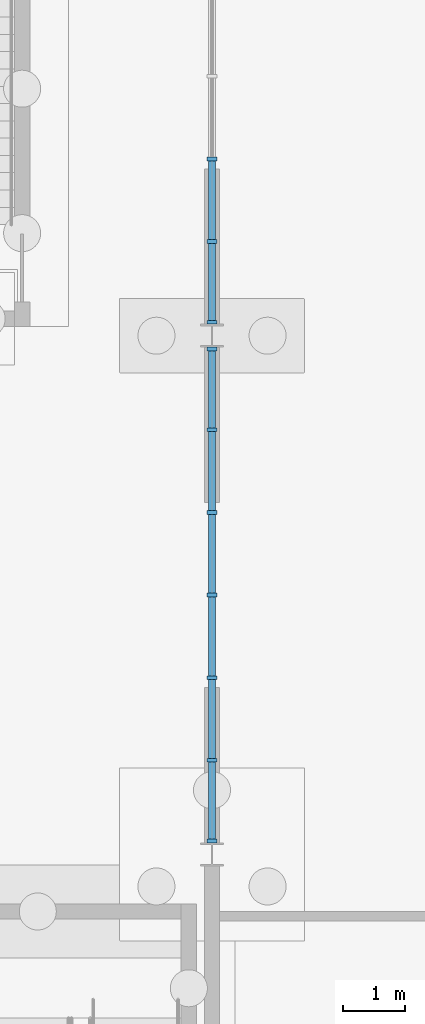
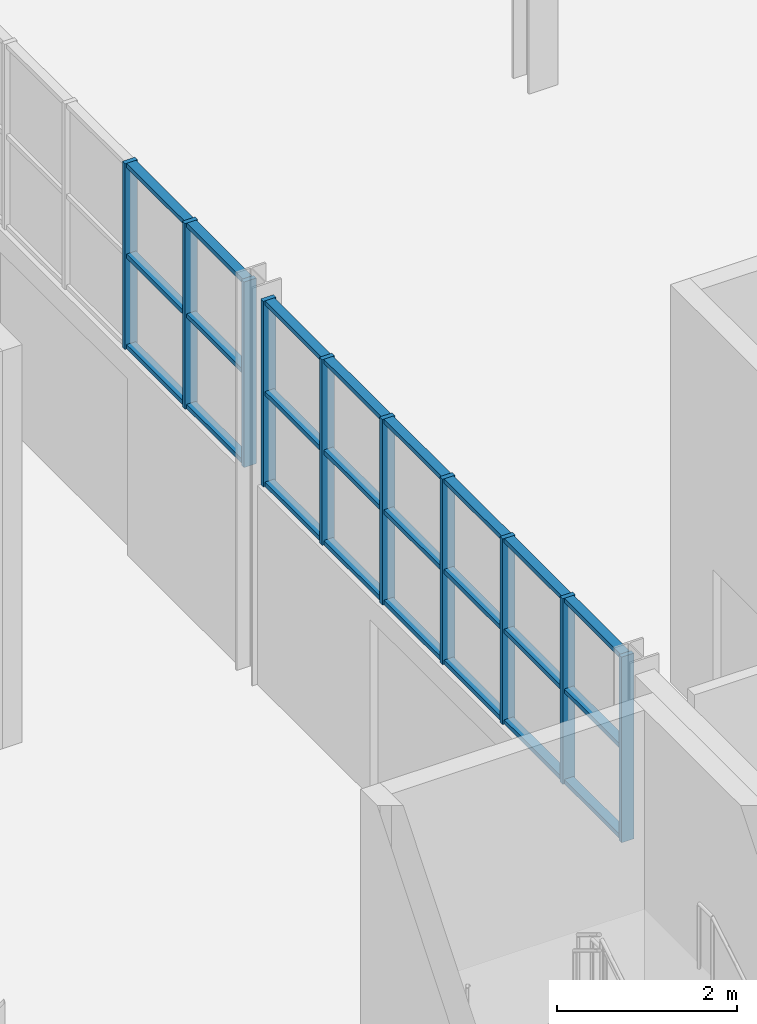
# One storey, part 32 of 127: 34 members, 2 elements without a shape of their own.
"""IFC4 building model written with IfcOpenShell, lengths in metres."""

from ifc_helpers import new_model, si_unit, direction, frame, origin, origin_2d, place, context, subcontext, project, spatial, rectangle, extrude, material, material_profile, profile_set, type_object, element, aggregate, save


model = new_model("IFC4")

# Units and contexts
model_context = context("Model", 3, precision=1e-05, world=origin(), true_north=direction((0.0, 1.0)))
body_context = subcontext(model_context, "Body", "Model", "MODEL_VIEW")
ifc_project = project(units=[si_unit("LENGTHUNIT", "METRE"), si_unit("AREAUNIT", "SQUARE_METRE"), si_unit("VOLUMEUNIT", "CUBIC_METRE"), si_unit("PLANEANGLEUNIT", "RADIAN"), si_unit("MASSUNIT", "GRAM", prefix="KILO")], contexts=[model_context])

# Site, building, storey
site_placement = place(None, origin())
site = spatial("IfcSite", under=ifc_project, at=site_placement, CompositionType="ELEMENT")
building_placement = place(site_placement, origin())
building = spatial("IfcBuilding", under=site, at=building_placement, Name="Ljudholm Concert House", CompositionType="ELEMENT")
storey_placement = place(building_placement, origin())
storey = spatial("IfcBuildingStorey", under=building, at=storey_placement, Name="L00", CompositionType="ELEMENT", Elevation=0.0)

# Curtain wall, members
ifc_material_1 = material(Name="Aluminium curtain wall with impact-rated laminated glass", Category="aluminium")
curtain_wall_type = type_object("IfcCurtainWallType", Name="CURTAIN WALL 1400", PredefinedType="NOTDEFINED", material=ifc_material_1)
curtain_wall_1_placement = place(storey_placement, origin())
curtain_wall_1 = element("IfcCurtainWall", 1, at=curtain_wall_1_placement, inside=storey, type_object=curtain_wall_type, Name="Foyer curtain wall", PredefinedType="NOTDEFINED")
ifc_material_2 = material(Name="Aluminium extrusion", Category="aluminium")
ifc_material_profile_1 = material_profile(ifc_material_2, rectangle(XDim=0.159912109375, YDim=0.06005859375, at=origin_2d()), Name="MULLION 60x160")
ifc_profile_set_1 = profile_set([ifc_material_profile_1], Name="Aluminium extrusion")
member_type_1 = type_object("IfcMemberType", Name="MULLION 60x160", PredefinedType="MULLION", material=ifc_profile_set_1)
member_1_placement = place(storey_placement, frame((12.39990234375, 54.61669921875, 2.699951171875), z_axis=(0.0, 0.0, 1.0), x_axis=(-1.0, 0.0, 0.0)))
member_1 = element("IfcMember", 2, at=member_1_placement, type_object=member_type_1, Name="Mullion", PredefinedType="MULLION", context=body_context, shape_type="SweptSolid", body=[
    extrude(rectangle(XDim=0.159912109375, YDim=0.06005859375, at=origin_2d()), origin(), (0.0, 0.0, 1.0), 2.52001953125),
])
member_2_placement = place(storey_placement, frame((12.39990234375, 55.924560546875, 2.699951171875), z_axis=(0.0, 0.0, 1.0), x_axis=(-1.0, 0.0, 0.0)))
member_2 = element("IfcMember", 3, at=member_2_placement, type_object=member_type_1, Name="Mullion", PredefinedType="MULLION", context=body_context, shape_type="SweptSolid", body=[
    extrude(rectangle(XDim=0.159912109375, YDim=0.06005859375, at=origin_2d()), origin(), (0.0, 0.0, 1.0), 2.52001953125),
])
member_3_placement = place(storey_placement, frame((12.39990234375, 57.26220703125, 2.699951171875), z_axis=(0.0, 0.0, 1.0), x_axis=(-1.0, 0.0, 0.0)))
member_3 = element("IfcMember", 4, at=member_3_placement, type_object=member_type_1, Name="Mullion", PredefinedType="MULLION", context=body_context, shape_type="SweptSolid", body=[
    extrude(rectangle(XDim=0.159912109375, YDim=0.06005859375, at=origin_2d()), origin(), (0.0, 0.0, 1.0), 2.52001953125),
])
member_4_placement = place(storey_placement, frame((12.39990234375, 58.60009765625, 2.699951171875), z_axis=(0.0, 0.0, 1.0), x_axis=(-1.0, 0.0, 0.0)))
member_4 = element("IfcMember", 5, at=member_4_placement, type_object=member_type_1, Name="Mullion", PredefinedType="MULLION", context=body_context, shape_type="SweptSolid", body=[
    extrude(rectangle(XDim=0.159912109375, YDim=0.06005859375, at=origin_2d()), origin(), (0.0, 0.0, 1.0), 2.52001953125),
])
member_5_placement = place(storey_placement, frame((12.39990234375, 59.937744140625, 2.699951171875), z_axis=(0.0, 0.0, 1.0), x_axis=(-1.0, 0.0, 0.0)))
member_5 = element("IfcMember", 6, at=member_5_placement, type_object=member_type_1, Name="Mullion", PredefinedType="MULLION", context=body_context, shape_type="SweptSolid", body=[
    extrude(rectangle(XDim=0.159912109375, YDim=0.06005859375, at=origin_2d()), origin(), (0.0, 0.0, 1.0), 2.52001953125),
])
member_6_placement = place(storey_placement, frame((12.39990234375, 61.275634765625, 2.699951171875), z_axis=(0.0, 0.0, 1.0), x_axis=(-1.0, 0.0, 0.0)))
member_6 = element("IfcMember", 7, at=member_6_placement, type_object=member_type_1, Name="Mullion", PredefinedType="MULLION", context=body_context, shape_type="SweptSolid", body=[
    extrude(rectangle(XDim=0.159912109375, YDim=0.06005859375, at=origin_2d()), origin(), (0.0, 0.0, 1.0), 2.52001953125),
])
member_7_placement = place(storey_placement, frame((12.39990234375, 62.583251953125, 2.699951171875), z_axis=(0.0, 0.0, 1.0), x_axis=(-1.0, 0.0, 0.0)))
member_7 = element("IfcMember", 8, at=member_7_placement, type_object=member_type_1, Name="Mullion", PredefinedType="MULLION", context=body_context, shape_type="SweptSolid", body=[
    extrude(rectangle(XDim=0.159912109375, YDim=0.06005859375, at=origin_2d()), origin(), (0.0, 0.0, 1.0), 2.52001953125),
])

curtain_wall_2_placement = place(storey_placement, origin())
curtain_wall_2 = element("IfcCurtainWall", 9, at=curtain_wall_2_placement, inside=storey, type_object=curtain_wall_type, Name="Foyer curtain wall", PredefinedType="NOTDEFINED")
member_8_placement = place(storey_placement, frame((12.39990234375, 63.0166015625, 2.699951171875), z_axis=(0.0, 0.0, 1.0), x_axis=(-1.0, 0.0, 0.0)))
member_8 = element("IfcMember", 10, at=member_8_placement, type_object=member_type_1, Name="Mullion", PredefinedType="MULLION", context=body_context, shape_type="SweptSolid", body=[
    extrude(rectangle(XDim=0.159912109375, YDim=0.06005859375, at=origin_2d()), origin(), (0.0, 0.0, 1.0), 2.52001953125),
])
member_9_placement = place(storey_placement, frame((12.39990234375, 64.324462890625, 2.699951171875), z_axis=(0.0, 0.0, 1.0), x_axis=(-1.0, 0.0, 0.0)))
member_9 = element("IfcMember", 11, at=member_9_placement, type_object=member_type_1, Name="Mullion", PredefinedType="MULLION", context=body_context, shape_type="SweptSolid", body=[
    extrude(rectangle(XDim=0.159912109375, YDim=0.06005859375, at=origin_2d()), origin(), (0.0, 0.0, 1.0), 2.52001953125),
])
member_10_placement = place(storey_placement, frame((12.39990234375, 65.662109375, 2.699951171875), z_axis=(0.0, 0.0, 1.0), x_axis=(-1.0, 0.0, 0.0)))
member_10 = element("IfcMember", 12, at=member_10_placement, type_object=member_type_1, Name="Mullion", PredefinedType="MULLION", context=body_context, shape_type="SweptSolid", body=[
    extrude(rectangle(XDim=0.159912109375, YDim=0.06005859375, at=origin_2d()), origin(), (0.0, 0.0, 1.0), 2.52001953125),
])

# Member
ifc_material_3 = material(Name="Aluminium extrusion", Category="aluminium")
ifc_material_profile_2 = material_profile(ifc_material_3, rectangle(XDim=0.1201171875, YDim=0.06005859375, at=origin_2d()), Name="TRANSOM 60x120")
ifc_profile_set_2 = profile_set([ifc_material_profile_2], Name="Aluminium extrusion")
member_type_2 = type_object("IfcMemberType", Name="TRANSOM 60x120", PredefinedType="USERDEFINED", material=ifc_profile_set_2)
member_11_placement = place(storey_placement, frame((12.39990234375, 54.646728515625, 2.72998046875), z_axis=(0.0, 1.0, 0.0), x_axis=(-1.0, 0.0, 0.0)))
member_11 = element("IfcMember", 13, at=member_11_placement, type_object=member_type_2, Name="Transom", ObjectType="TRANSOM", PredefinedType="USERDEFINED", context=body_context, shape_type="SweptSolid", body=[
    extrude(rectangle(XDim=0.1201171875, YDim=0.06005859375, at=origin_2d()), origin(), (0.0, 0.0, 1.0), 1.247802734375),
])

member_12_placement = place(storey_placement, frame((12.39990234375, 54.646728515625, 3.9599609375), z_axis=(0.0, 1.0, 0.0), x_axis=(-1.0, 0.0, 0.0)))
member_12 = element("IfcMember", 14, at=member_12_placement, type_object=member_type_2, Name="Transom", ObjectType="TRANSOM", PredefinedType="USERDEFINED", context=body_context, shape_type="SweptSolid", body=[
    extrude(rectangle(XDim=0.1201171875, YDim=0.06005859375, at=origin_2d()), origin(), (0.0, 0.0, 1.0), 1.247802734375),
])

member_13_placement = place(storey_placement, frame((12.39990234375, 54.646728515625, 5.18994140625), z_axis=(0.0, 1.0, 0.0), x_axis=(-1.0, 0.0, 0.0)))
member_13 = element("IfcMember", 15, at=member_13_placement, type_object=member_type_2, Name="Transom", ObjectType="TRANSOM", PredefinedType="USERDEFINED", context=body_context, shape_type="SweptSolid", body=[
    extrude(rectangle(XDim=0.1201171875, YDim=0.06005859375, at=origin_2d()), origin(), (0.0, 0.0, 1.0), 1.247802734375),
])

member_14_placement = place(storey_placement, frame((12.39990234375, 55.954345703125, 2.72998046875), z_axis=(0.0, 1.0, 0.0), x_axis=(-1.0, 0.0, 0.0)))
member_14 = element("IfcMember", 16, at=member_14_placement, type_object=member_type_2, Name="Transom", ObjectType="TRANSOM", PredefinedType="USERDEFINED", context=body_context, shape_type="SweptSolid", body=[
    extrude(rectangle(XDim=0.1201171875, YDim=0.06005859375, at=origin_2d()), origin(), (0.0, 0.0, 1.0), 1.27783203125),
])

member_15_placement = place(storey_placement, frame((12.39990234375, 55.954345703125, 3.9599609375), z_axis=(0.0, 1.0, 0.0), x_axis=(-1.0, 0.0, 0.0)))
member_15 = element("IfcMember", 17, at=member_15_placement, type_object=member_type_2, Name="Transom", ObjectType="TRANSOM", PredefinedType="USERDEFINED", context=body_context, shape_type="SweptSolid", body=[
    extrude(rectangle(XDim=0.1201171875, YDim=0.06005859375, at=origin_2d()), origin(), (0.0, 0.0, 1.0), 1.27783203125),
])

member_16_placement = place(storey_placement, frame((12.39990234375, 55.954345703125, 5.18994140625), z_axis=(0.0, 1.0, 0.0), x_axis=(-1.0, 0.0, 0.0)))
member_16 = element("IfcMember", 18, at=member_16_placement, type_object=member_type_2, Name="Transom", ObjectType="TRANSOM", PredefinedType="USERDEFINED", context=body_context, shape_type="SweptSolid", body=[
    extrude(rectangle(XDim=0.1201171875, YDim=0.06005859375, at=origin_2d()), origin(), (0.0, 0.0, 1.0), 1.27783203125),
])

member_17_placement = place(storey_placement, frame((12.39990234375, 57.292236328125, 2.72998046875), z_axis=(0.0, 1.0, 0.0), x_axis=(-1.0, 0.0, 0.0)))
member_17 = element("IfcMember", 19, at=member_17_placement, type_object=member_type_2, Name="Transom", ObjectType="TRANSOM", PredefinedType="USERDEFINED", context=body_context, shape_type="SweptSolid", body=[
    extrude(rectangle(XDim=0.1201171875, YDim=0.06005859375, at=origin_2d()), origin(), (0.0, 0.0, 1.0), 1.27783203125),
])

member_18_placement = place(storey_placement, frame((12.39990234375, 57.292236328125, 3.9599609375), z_axis=(0.0, 1.0, 0.0), x_axis=(-1.0, 0.0, 0.0)))
member_18 = element("IfcMember", 20, at=member_18_placement, type_object=member_type_2, Name="Transom", ObjectType="TRANSOM", PredefinedType="USERDEFINED", context=body_context, shape_type="SweptSolid", body=[
    extrude(rectangle(XDim=0.1201171875, YDim=0.06005859375, at=origin_2d()), origin(), (0.0, 0.0, 1.0), 1.27783203125),
])

member_19_placement = place(storey_placement, frame((12.39990234375, 57.292236328125, 5.18994140625), z_axis=(0.0, 1.0, 0.0), x_axis=(-1.0, 0.0, 0.0)))
member_19 = element("IfcMember", 21, at=member_19_placement, type_object=member_type_2, Name="Transom", ObjectType="TRANSOM", PredefinedType="USERDEFINED", context=body_context, shape_type="SweptSolid", body=[
    extrude(rectangle(XDim=0.1201171875, YDim=0.06005859375, at=origin_2d()), origin(), (0.0, 0.0, 1.0), 1.27783203125),
])

member_20_placement = place(storey_placement, frame((12.39990234375, 58.6298828125, 2.72998046875), z_axis=(0.0, 1.0, 0.0), x_axis=(-1.0, 0.0, 0.0)))
member_20 = element("IfcMember", 22, at=member_20_placement, type_object=member_type_2, Name="Transom", ObjectType="TRANSOM", PredefinedType="USERDEFINED", context=body_context, shape_type="SweptSolid", body=[
    extrude(rectangle(XDim=0.1201171875, YDim=0.06005859375, at=origin_2d()), origin(), (0.0, 0.0, 1.0), 1.27783203125),
])

member_21_placement = place(storey_placement, frame((12.39990234375, 58.6298828125, 3.9599609375), z_axis=(0.0, 1.0, 0.0), x_axis=(-1.0, 0.0, 0.0)))
member_21 = element("IfcMember", 23, at=member_21_placement, type_object=member_type_2, Name="Transom", ObjectType="TRANSOM", PredefinedType="USERDEFINED", context=body_context, shape_type="SweptSolid", body=[
    extrude(rectangle(XDim=0.1201171875, YDim=0.06005859375, at=origin_2d()), origin(), (0.0, 0.0, 1.0), 1.27783203125),
])

member_22_placement = place(storey_placement, frame((12.39990234375, 58.6298828125, 5.18994140625), z_axis=(0.0, 1.0, 0.0), x_axis=(-1.0, 0.0, 0.0)))
member_22 = element("IfcMember", 24, at=member_22_placement, type_object=member_type_2, Name="Transom", ObjectType="TRANSOM", PredefinedType="USERDEFINED", context=body_context, shape_type="SweptSolid", body=[
    extrude(rectangle(XDim=0.1201171875, YDim=0.06005859375, at=origin_2d()), origin(), (0.0, 0.0, 1.0), 1.27783203125),
])

member_23_placement = place(storey_placement, frame((12.39990234375, 59.9677734375, 2.72998046875), z_axis=(0.0, 1.0, 0.0), x_axis=(-1.0, 0.0, 0.0)))
member_23 = element("IfcMember", 25, at=member_23_placement, type_object=member_type_2, Name="Transom", ObjectType="TRANSOM", PredefinedType="USERDEFINED", context=body_context, shape_type="SweptSolid", body=[
    extrude(rectangle(XDim=0.1201171875, YDim=0.06005859375, at=origin_2d()), origin(), (0.0, 0.0, 1.0), 1.27783203125),
])

member_24_placement = place(storey_placement, frame((12.39990234375, 59.9677734375, 3.9599609375), z_axis=(0.0, 1.0, 0.0), x_axis=(-1.0, 0.0, 0.0)))
member_24 = element("IfcMember", 26, at=member_24_placement, type_object=member_type_2, Name="Transom", ObjectType="TRANSOM", PredefinedType="USERDEFINED", context=body_context, shape_type="SweptSolid", body=[
    extrude(rectangle(XDim=0.1201171875, YDim=0.06005859375, at=origin_2d()), origin(), (0.0, 0.0, 1.0), 1.27783203125),
])

member_25_placement = place(storey_placement, frame((12.39990234375, 59.9677734375, 5.18994140625), z_axis=(0.0, 1.0, 0.0), x_axis=(-1.0, 0.0, 0.0)))
member_25 = element("IfcMember", 27, at=member_25_placement, type_object=member_type_2, Name="Transom", ObjectType="TRANSOM", PredefinedType="USERDEFINED", context=body_context, shape_type="SweptSolid", body=[
    extrude(rectangle(XDim=0.1201171875, YDim=0.06005859375, at=origin_2d()), origin(), (0.0, 0.0, 1.0), 1.27783203125),
])

member_26_placement = place(storey_placement, frame((12.39990234375, 61.305419921875, 2.72998046875), z_axis=(0.0, 1.0, 0.0), x_axis=(-1.0, 0.0, 0.0)))
member_26 = element("IfcMember", 28, at=member_26_placement, type_object=member_type_2, Name="Transom", ObjectType="TRANSOM", PredefinedType="USERDEFINED", context=body_context, shape_type="SweptSolid", body=[
    extrude(rectangle(XDim=0.1201171875, YDim=0.06005859375, at=origin_2d()), origin(), (0.0, 0.0, 1.0), 1.247802734375),
])

member_27_placement = place(storey_placement, frame((12.39990234375, 61.305419921875, 3.9599609375), z_axis=(0.0, 1.0, 0.0), x_axis=(-1.0, 0.0, 0.0)))
member_27 = element("IfcMember", 29, at=member_27_placement, type_object=member_type_2, Name="Transom", ObjectType="TRANSOM", PredefinedType="USERDEFINED", context=body_context, shape_type="SweptSolid", body=[
    extrude(rectangle(XDim=0.1201171875, YDim=0.06005859375, at=origin_2d()), origin(), (0.0, 0.0, 1.0), 1.247802734375),
])

member_28_placement = place(storey_placement, frame((12.39990234375, 61.305419921875, 5.18994140625), z_axis=(0.0, 1.0, 0.0), x_axis=(-1.0, 0.0, 0.0)))
member_28 = element("IfcMember", 30, at=member_28_placement, type_object=member_type_2, Name="Transom", ObjectType="TRANSOM", PredefinedType="USERDEFINED", context=body_context, shape_type="SweptSolid", body=[
    extrude(rectangle(XDim=0.1201171875, YDim=0.06005859375, at=origin_2d()), origin(), (0.0, 0.0, 1.0), 1.247802734375),
])

aggregate(curtain_wall_1, [member_1, member_2, member_3, member_4, member_5, member_6, member_7, member_11, member_12, member_13, member_14, member_15, member_16, member_17, member_18, member_19, member_20, member_21, member_22, member_23, member_24, member_25, member_26, member_27, member_28])

member_29_placement = place(storey_placement, frame((12.39990234375, 63.046630859375, 2.72998046875), z_axis=(0.0, 1.0, 0.0), x_axis=(-1.0, 0.0, 0.0)))
member_29 = element("IfcMember", 31, at=member_29_placement, type_object=member_type_2, Name="Transom", ObjectType="TRANSOM", PredefinedType="USERDEFINED", context=body_context, shape_type="SweptSolid", body=[
    extrude(rectangle(XDim=0.1201171875, YDim=0.06005859375, at=origin_2d()), origin(), (0.0, 0.0, 1.0), 1.247802734375),
])

member_30_placement = place(storey_placement, frame((12.39990234375, 63.046630859375, 3.9599609375), z_axis=(0.0, 1.0, 0.0), x_axis=(-1.0, 0.0, 0.0)))
member_30 = element("IfcMember", 32, at=member_30_placement, type_object=member_type_2, Name="Transom", ObjectType="TRANSOM", PredefinedType="USERDEFINED", context=body_context, shape_type="SweptSolid", body=[
    extrude(rectangle(XDim=0.1201171875, YDim=0.06005859375, at=origin_2d()), origin(), (0.0, 0.0, 1.0), 1.247802734375),
])

member_31_placement = place(storey_placement, frame((12.39990234375, 63.046630859375, 5.18994140625), z_axis=(0.0, 1.0, 0.0), x_axis=(-1.0, 0.0, 0.0)))
member_31 = element("IfcMember", 33, at=member_31_placement, type_object=member_type_2, Name="Transom", ObjectType="TRANSOM", PredefinedType="USERDEFINED", context=body_context, shape_type="SweptSolid", body=[
    extrude(rectangle(XDim=0.1201171875, YDim=0.06005859375, at=origin_2d()), origin(), (0.0, 0.0, 1.0), 1.247802734375),
])

member_32_placement = place(storey_placement, frame((12.39990234375, 64.3544921875, 2.72998046875), z_axis=(0.0, 1.0, 0.0), x_axis=(-1.0, 0.0, 0.0)))
member_32 = element("IfcMember", 34, at=member_32_placement, type_object=member_type_2, Name="Transom", ObjectType="TRANSOM", PredefinedType="USERDEFINED", context=body_context, shape_type="SweptSolid", body=[
    extrude(rectangle(XDim=0.1201171875, YDim=0.06005859375, at=origin_2d()), origin(), (0.0, 0.0, 1.0), 1.27783203125),
])

member_33_placement = place(storey_placement, frame((12.39990234375, 64.3544921875, 3.9599609375), z_axis=(0.0, 1.0, 0.0), x_axis=(-1.0, 0.0, 0.0)))
member_33 = element("IfcMember", 35, at=member_33_placement, type_object=member_type_2, Name="Transom", ObjectType="TRANSOM", PredefinedType="USERDEFINED", context=body_context, shape_type="SweptSolid", body=[
    extrude(rectangle(XDim=0.1201171875, YDim=0.06005859375, at=origin_2d()), origin(), (0.0, 0.0, 1.0), 1.27783203125),
])

member_34_placement = place(storey_placement, frame((12.39990234375, 64.3544921875, 5.18994140625), z_axis=(0.0, 1.0, 0.0), x_axis=(-1.0, 0.0, 0.0)))
member_34 = element("IfcMember", 36, at=member_34_placement, type_object=member_type_2, Name="Transom", ObjectType="TRANSOM", PredefinedType="USERDEFINED", context=body_context, shape_type="SweptSolid", body=[
    extrude(rectangle(XDim=0.1201171875, YDim=0.06005859375, at=origin_2d()), origin(), (0.0, 0.0, 1.0), 1.27783203125),
])

aggregate(curtain_wall_2, [member_8, member_9, member_10, member_29, member_30, member_31, member_32, member_33, member_34])

save(model, "model.ifc")
